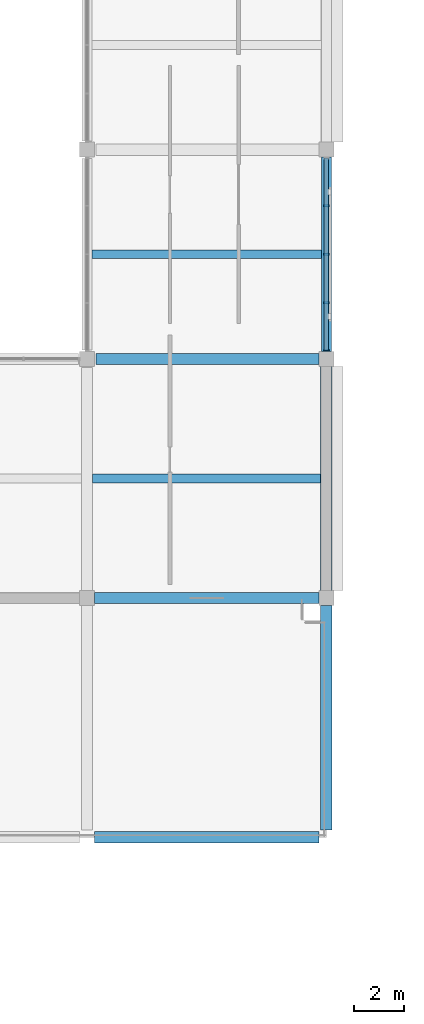
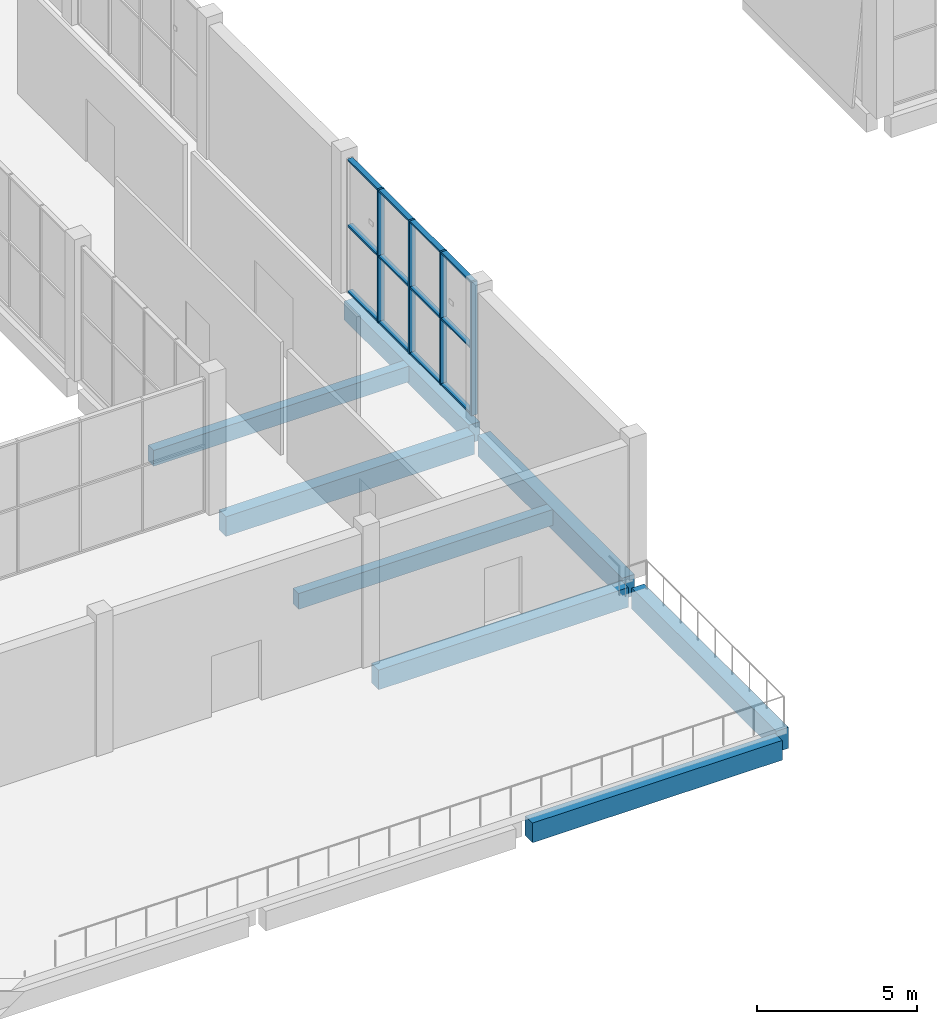
# One storey, part 23 of 83: 8 beams, 7 members, 1 element without a shape of its own.
"""IFC4 building model written with IfcOpenShell, lengths in metres."""

from ifc_helpers import new_model, si_unit, direction, frame, origin, origin_2d, place, context, subcontext, project, spatial, rectangle, extrude, material, material_profile, profile_set, type_object, element, aggregate, save


model = new_model("IFC4")

# Units and contexts
model_context = context("Model", 3, precision=1e-05, world=origin(), true_north=direction((0.0, 1.0)))
body_context = subcontext(model_context, "Body", "Model", "MODEL_VIEW")
ifc_project = project(units=[si_unit("LENGTHUNIT", "METRE"), si_unit("AREAUNIT", "SQUARE_METRE"), si_unit("VOLUMEUNIT", "CUBIC_METRE"), si_unit("PLANEANGLEUNIT", "RADIAN"), si_unit("MASSUNIT", "GRAM", prefix="KILO")], contexts=[model_context])

# Site, building, storey
site_placement = place(None, origin())
site = spatial("IfcSite", under=ifc_project, at=site_placement, CompositionType="ELEMENT")
building_placement = place(site_placement, origin())
building = spatial("IfcBuilding", under=site, at=building_placement, Name="Shalvenor Court Art Gallery", CompositionType="ELEMENT")
storey_placement = place(building_placement, frame((0.0, 0.0, 6.0)))
storey = spatial("IfcBuildingStorey", under=building, at=storey_placement, Name="L01", CompositionType="ELEMENT", Elevation=6.0)

# Beams
ifc_material_1 = material(Name="Concrete C40/50", Category="concrete")
ifc_material_profile_1 = material_profile(ifc_material_1, rectangle(XDim=0.449951171875, YDim=0.800048828125, at=origin_2d()), Name="RC 450x800")
ifc_profile_set_1 = profile_set([ifc_material_profile_1], Name="Concrete C40/50")
beam_type_1 = type_object("IfcBeamType", Name="B-03", PredefinedType="BEAM", material=ifc_profile_set_1)
for number, where, z_axis, x_axis, name in (
    (1, (38.39990234375, 69.89990234375, -0.719970703125), (0.0, 1.0, 0.0), (-1.0, 0.0, 0.0), "L01 Girder BM-L01-B-03-0391"),
    (2, (38.39990234375, 79.5, -0.719970703125), (0.0, 1.0, 0.0), (-1.0, 0.0, 0.0), "L01 Girder BM-L01-B-03-0392"),
):
    element("IfcBeam", number, at=place(storey_placement, frame(where, z_axis=z_axis, x_axis=x_axis)), inside=storey, type_object=beam_type_1, Name=name, PredefinedType="BEAM", context=body_context, shape_type="SweptSolid", body=[
        extrude(rectangle(XDim=0.449951171875, YDim=0.800048828125, at=origin_2d()), origin(), (0.0, 0.0, 1.0), 9.0),
    ])
ifc_material_2 = material(Name="Concrete C40/50", Category="concrete")
ifc_material_profile_2 = material_profile(ifc_material_2, rectangle(XDim=0.449951171875, YDim=0.75, at=origin_2d()), Name="RC 450x750")
ifc_profile_set_2 = profile_set([ifc_material_profile_2], Name="Concrete C40/50")
beam_type_2 = type_object("IfcBeamType", Name="B-04", PredefinedType="BEAM", material=ifc_profile_set_2)
for number, where, z_axis, x_axis, name in (
    (3, (29.10009765625, 69.60009765625, -0.695068359375), (1.0, 0.0, 0.0), (0.0, 1.0, 0.0), "L01 Girder BM-L01-B-04-0559"),
    (4, (29.10009765625, 79.199951171875, -0.695068359375), (1.0, 0.0, 0.0), (0.0, 1.0, 0.0), "L01 Girder BM-L01-B-04-0566"),
):
    element("IfcBeam", number, at=place(storey_placement, frame(where, z_axis=z_axis, x_axis=x_axis)), inside=storey, type_object=beam_type_2, Name=name, PredefinedType="BEAM", context=body_context, shape_type="SweptSolid", body=[
        extrude(rectangle(XDim=0.449951171875, YDim=0.75, at=origin_2d()), origin(), (0.0, 0.0, 1.0), 9.0),
    ])
beam_1_placement = place(storey_placement, frame((29.14990234375, 88.800048828125, -0.695068359375), z_axis=(1.0, 0.0, 0.0), x_axis=(0.0, 1.0, 0.0)))
element("IfcBeam", 5, at=beam_1_placement, inside=storey, type_object=beam_type_2, Name="L01 Girder BM-L01-B-04-0575", PredefinedType="BEAM", context=body_context, shape_type="SweptSolid", body=[
    extrude(rectangle(XDim=0.449951171875, YDim=0.75, at=origin_2d()), origin(), (0.0, 0.0, 1.0), 8.9501953125),
])
ifc_material_3 = material(Name="Concrete C40/50", Category="concrete")
ifc_material_profile_3 = material_profile(ifc_material_3, rectangle(XDim=0.39990234375, YDim=0.699951171875, at=origin_2d()), Name="RC 400x700")
ifc_profile_set_3 = profile_set([ifc_material_profile_3], Name="Concrete C40/50")
beam_type_3 = type_object("IfcBeamType", Name="B-05", PredefinedType="BEAM", material=ifc_profile_set_3)
beam_2_placement = place(storey_placement, frame((38.39990234375, 89.10009765625, -0.669921875), z_axis=(0.0, 1.0, 0.0), x_axis=(-1.0, 0.0, 0.0)))
element("IfcBeam", 6, at=beam_2_placement, inside=storey, type_object=beam_type_3, Name="L01 Girder BM-L01-B-05-0393", PredefinedType="BEAM", context=body_context, shape_type="SweptSolid", body=[
    extrude(rectangle(XDim=0.39990234375, YDim=0.699951171875, at=origin_2d()), origin(), (0.0, 0.0, 1.0), 7.7998046875),
])

# Curtain wall, members
ifc_material_4 = material(Name="Anodised aluminium and low-iron glass curtain wall", Category="aluminium")
curtain_wall_type = type_object("IfcCurtainWallType", Name="CW-4x2-78-51-441", PredefinedType="USERDEFINED", material=ifc_material_4)
curtain_wall_placement = place(storey_placement, origin())
curtain_wall = element("IfcCurtainWall", 7, at=curtain_wall_placement, inside=storey, type_object=curtain_wall_type, Name="L01 V5 Curtain Wall CW-L01-170", ObjectType="CURTAIN WALL", PredefinedType="USERDEFINED")
ifc_material_5 = material(Name="Anodised aluminium mullion", Category="aluminium")
ifc_material_profile_4 = material_profile(ifc_material_5, rectangle(XDim=0.074951171875, YDim=0.219970703125, at=origin_2d()), Name="CWM-04")
ifc_profile_set_4 = profile_set([ifc_material_profile_4], Name="Anodised aluminium mullion")
member_type_1 = type_object("IfcMemberType", Name="CWM-04", PredefinedType="MULLION", material=ifc_profile_set_4)
member_1_placement = place(storey_placement, frame((38.39990234375, 94.949951171875, 0.0), z_axis=(0.0, 0.0, 1.0), x_axis=(0.0, -1.0, 0.0)))
member_1 = element("IfcMember", 8, at=member_1_placement, type_object=member_type_1, Name="CW-4x2-78-51-441 mullion 2", PredefinedType="MULLION", context=body_context, shape_type="SweptSolid", body=[
    extrude(rectangle(XDim=0.074951171875, YDim=0.219970703125, at=origin_2d()), origin(), (0.0, 0.0, 1.0), 5.080078125),
])
member_2_placement = place(storey_placement, frame((38.39990234375, 93.0, 0.0), z_axis=(0.0, 0.0, 1.0), x_axis=(0.0, -1.0, 0.0)))
member_2 = element("IfcMember", 9, at=member_2_placement, type_object=member_type_1, Name="CW-4x2-78-51-441 mullion 3", PredefinedType="MULLION", context=body_context, shape_type="SweptSolid", body=[
    extrude(rectangle(XDim=0.074951171875, YDim=0.219970703125, at=origin_2d()), origin(), (0.0, 0.0, 1.0), 5.080078125),
])
member_3_placement = place(storey_placement, frame((38.39990234375, 91.050048828125, 0.0), z_axis=(0.0, 0.0, 1.0), x_axis=(0.0, -1.0, 0.0)))
member_3 = element("IfcMember", 10, at=member_3_placement, type_object=member_type_1, Name="CW-4x2-78-51-441 mullion 4", PredefinedType="MULLION", context=body_context, shape_type="SweptSolid", body=[
    extrude(rectangle(XDim=0.074951171875, YDim=0.219970703125, at=origin_2d()), origin(), (0.0, 0.0, 1.0), 5.080078125),
])
member_4_placement = place(storey_placement, frame((38.39990234375, 89.137451171875, 0.0), z_axis=(0.0, 0.0, 1.0), x_axis=(0.0, -1.0, 0.0)))
member_4 = element("IfcMember", 11, at=member_4_placement, type_object=member_type_1, Name="CW-4x2-78-51-441 mullion 5", PredefinedType="MULLION", context=body_context, shape_type="SweptSolid", body=[
    extrude(rectangle(XDim=0.074951171875, YDim=0.219970703125, at=origin_2d()), origin(), (0.0, 0.0, 1.0), 5.080078125),
])
ifc_material_6 = material(Name="Anodised aluminium transom", Category="aluminium")
ifc_material_profile_5 = material_profile(ifc_material_6, rectangle(XDim=0.18994140625, YDim=0.070068359375, at=origin_2d()), Name="CWT-04")
ifc_profile_set_5 = profile_set([ifc_material_profile_5], Name="Anodised aluminium transom")
member_type_2 = type_object("IfcMemberType", Name="CWT-04", PredefinedType="USERDEFINED", material=ifc_profile_set_5)
member_5_placement = place(storey_placement, frame((38.39990234375, 96.862548828125, 0.034912109375), z_axis=(0.0, -1.0, 0.0), x_axis=(1.0, 0.0, 0.0)))
member_5 = element("IfcMember", 12, at=member_5_placement, type_object=member_type_2, Name="CW-4x2-78-51-441 transom 1", ObjectType="TRANSOM", PredefinedType="USERDEFINED", context=body_context, shape_type="SweptSolid", body=[
    extrude(rectangle(XDim=0.18994140625, YDim=0.070068359375, at=origin_2d()), origin(), (0.0, 0.0, 1.0), 7.72509765625),
])
member_6_placement = place(storey_placement, frame((38.39990234375, 96.862548828125, 2.5400390625), z_axis=(0.0, -1.0, 0.0), x_axis=(1.0, 0.0, 0.0)))
member_6 = element("IfcMember", 13, at=member_6_placement, type_object=member_type_2, Name="CW-4x2-78-51-441 transom 2", ObjectType="TRANSOM", PredefinedType="USERDEFINED", context=body_context, shape_type="SweptSolid", body=[
    extrude(rectangle(XDim=0.18994140625, YDim=0.070068359375, at=origin_2d()), origin(), (0.0, 0.0, 1.0), 7.72509765625),
])
member_7_placement = place(storey_placement, frame((38.39990234375, 96.862548828125, 5.044921875), z_axis=(0.0, -1.0, 0.0), x_axis=(1.0, 0.0, 0.0)))
member_7 = element("IfcMember", 14, at=member_7_placement, type_object=member_type_2, Name="CW-4x2-78-51-441 transom 3", ObjectType="TRANSOM", PredefinedType="USERDEFINED", context=body_context, shape_type="SweptSolid", body=[
    extrude(rectangle(XDim=0.18994140625, YDim=0.070068359375, at=origin_2d()), origin(), (0.0, 0.0, 1.0), 7.72509765625),
])
aggregate(curtain_wall, [member_1, member_2, member_3, member_4, member_5, member_6, member_7])

# Beams
ifc_material_7 = material(Name="Concrete C40/50", Category="concrete")
ifc_material_profile_6 = material_profile(ifc_material_7, rectangle(XDim=0.35009765625, YDim=0.60009765625, at=origin_2d()), Name="RC 350x600")
ifc_profile_set_6 = profile_set([ifc_material_profile_6], Name="Concrete C40/50")
beam_type_4 = type_object("IfcBeamType", Name="J-01", PredefinedType="JOIST", material=ifc_profile_set_6)
beam_3_placement = place(storey_placement, frame((29.02490234375, 84.0, -0.6201171875), z_axis=(1.0, 0.0, 0.0), x_axis=(0.0, 1.0, 0.0)))
element("IfcBeam", 15, at=beam_3_placement, inside=storey, type_object=beam_type_4, Name="L01 Secondary Beam JST-L01-J-01-0637", PredefinedType="JOIST", context=body_context, shape_type="SweptSolid", body=[
    extrude(rectangle(XDim=0.35009765625, YDim=0.60009765625, at=origin_2d()), origin(), (0.0, 0.0, 1.0), 9.150146484375),
])
beam_4_placement = place(storey_placement, frame((29.0, 93.0, -0.6201171875), z_axis=(1.0, 0.0, 0.0), x_axis=(0.0, 1.0, 0.0)))
element("IfcBeam", 16, at=beam_4_placement, inside=storey, type_object=beam_type_4, Name="L01 Secondary Beam JST-L01-J-01-0638", PredefinedType="JOIST", context=body_context, shape_type="SweptSolid", body=[
    extrude(rectangle(XDim=0.35009765625, YDim=0.60009765625, at=origin_2d()), origin(), (0.0, 0.0, 1.0), 9.199951171875),
])

save(model, "model.ifc")
